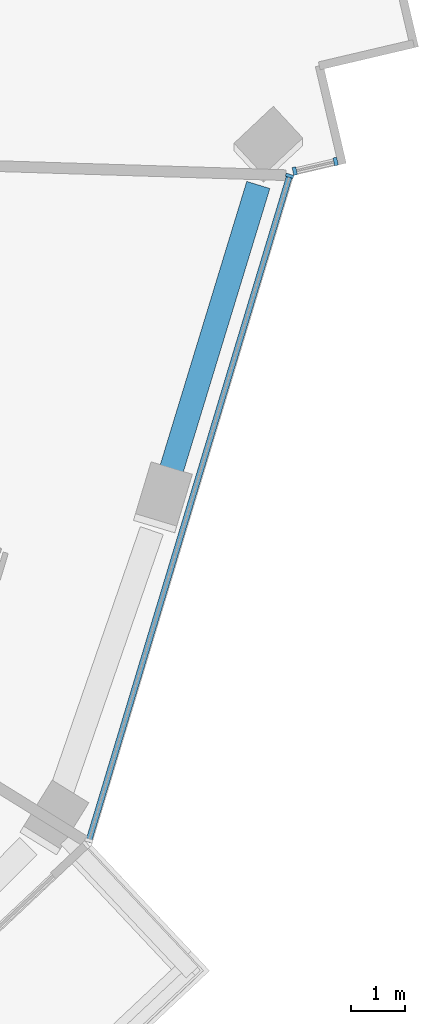
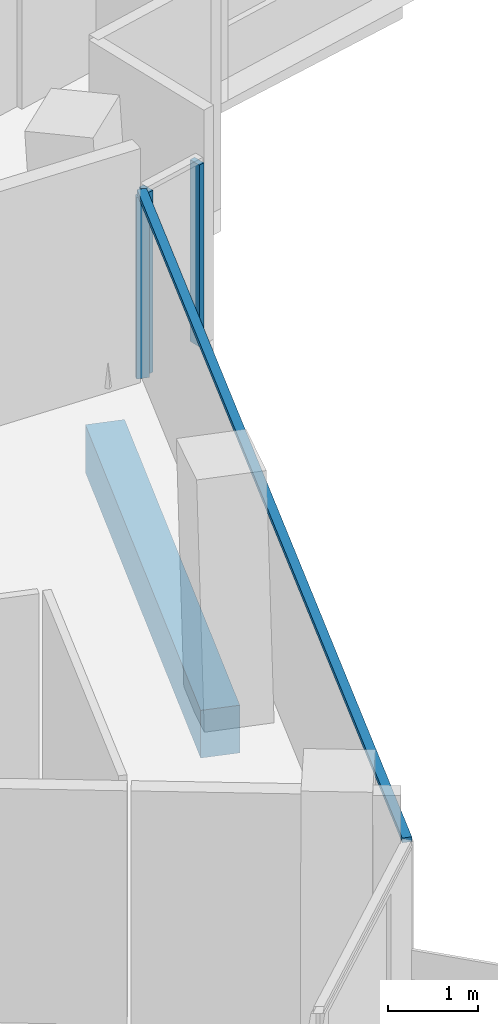
# One storey, part 6 of 24: 4 members, 1 beam, 2 elements without a shape of their own.
"""IFC4 building model written with IfcOpenShell, lengths in metres."""

from ifc_helpers import new_model, si_unit, direction, frame, origin, origin_2d, place, context, subcontext, project, spatial, rectangle, extrude, material, layer, layer_set, material_profile, profile_set, type_object, element, aggregate, save


model = new_model("IFC4")

# Units and contexts
model_context = context("Model", 3, precision=1e-05, world=origin(), true_north=direction((0.0, 1.0)))
body_context = subcontext(model_context, "Body", "Model", "MODEL_VIEW")
ifc_project = project(units=[si_unit("LENGTHUNIT", "METRE"), si_unit("AREAUNIT", "SQUARE_METRE"), si_unit("VOLUMEUNIT", "CUBIC_METRE"), si_unit("PLANEANGLEUNIT", "RADIAN"), si_unit("MASSUNIT", "GRAM", prefix="KILO")], contexts=[model_context])

# Site, building, storey
site_placement = place(None, origin())
site = spatial("IfcSite", under=ifc_project, at=site_placement, CompositionType="ELEMENT")
building_placement = place(site_placement, origin())
building = spatial("IfcBuilding", under=site, at=building_placement, Name="Verdalira Terraces Hotel", CompositionType="ELEMENT")
storey_placement = place(building_placement, frame((0.0, 0.0, 209.0)))
storey = spatial("IfcBuildingStorey", under=building, at=storey_placement, Name="L51", CompositionType="ELEMENT", Elevation=209.0)

# Curtain wall, members
ifc_material_1 = material(Name="Clear glass", Category="glass")
ifc_layer_1 = layer(ifc_material_1, 0.14990234375)
ifc_layer_set_1 = layer_set([ifc_layer_1], Name="CW1 curtain wall")
curtain_wall_type_1 = type_object("IfcCurtainWallType", Name="CW1 curtain wall", PredefinedType="NOTDEFINED", material=ifc_layer_set_1)
curtain_wall_1_placement = place(storey_placement, origin())
curtain_wall_1 = element("IfcCurtainWall", 1, at=curtain_wall_1_placement, inside=storey, type_object=curtain_wall_type_1, Name="CW1 curtain wall L51 edge 27", PredefinedType="NOTDEFINED")
ifc_material_2 = material(Name="Terracotta frame", Category="masonry")
ifc_material_profile_1 = material_profile(ifc_material_2, rectangle(XDim=0.060059, YDim=0.149902, at=origin_2d()), Name="MU 60x150")
ifc_profile_set_1 = profile_set([ifc_material_profile_1], Name="Terracotta frame")
member_type_1 = type_object("IfcMemberType", Name="CW1 mullion 60x150", PredefinedType="MULLION", material=ifc_profile_set_1)
member_1_placement = place(storey_placement, frame((25.02124, -0.795898, 0.0), z_axis=(0.0, 0.0, 1.0), x_axis=(0.289031797, 0.957319498, 0.0)))
member_1 = element("IfcMember", 2, at=member_1_placement, type_object=member_type_1, Name="CW1 mullion", PredefinedType="MULLION", context=body_context, shape_type="SweptSolid", body=[
    extrude(rectangle(XDim=0.060059, YDim=0.149902, at=origin_2d()), origin(), (0.0, 0.0, 1.0), 2.475098),
])
ifc_material_3 = material(Name="Terracotta frame", Category="masonry")
ifc_material_profile_2 = material_profile(ifc_material_3, rectangle(XDim=0.110107, YDim=0.064941, at=origin_2d()), Name="TR 65x110")
ifc_profile_set_2 = profile_set([ifc_material_profile_2], Name="Terracotta frame")
member_type_2 = type_object("IfcMemberType", Name="CW1 transom 65x110", PredefinedType="USERDEFINED", material=ifc_profile_set_2)
member_2_placement = place(storey_placement, frame((21.28418, -13.173828, 2.507568), z_axis=(0.28901697, 0.957323974, 0.0), x_axis=(-0.957323974, 0.28901697, 0.0)))
member_2 = element("IfcMember", 3, at=member_2_placement, type_object=member_type_2, Name="CW1 transom", ObjectType="TRANSOM", PredefinedType="USERDEFINED", context=body_context, shape_type="SweptSolid", body=[
    extrude(rectangle(XDim=0.110107, YDim=0.064941, at=origin_2d()), origin(), (0.0, 0.0, 1.0), 12.959717),
])
aggregate(curtain_wall_1, [member_1, member_2])

ifc_material_4 = material(Name="Clear glass", Category="glass")
ifc_layer_2 = layer(ifc_material_4, 0.14990234375)
ifc_layer_set_2 = layer_set([ifc_layer_2], Name="CW2 curtain wall")
curtain_wall_type_2 = type_object("IfcCurtainWallType", Name="CW2 curtain wall", PredefinedType="NOTDEFINED", material=ifc_layer_set_2)
curtain_wall_2_placement = place(storey_placement, origin())
curtain_wall_2 = element("IfcCurtainWall", 4, at=curtain_wall_2_placement, inside=storey, type_object=curtain_wall_type_2, Name="CW2 curtain wall L51 edge 28", PredefinedType="NOTDEFINED")
ifc_material_5 = material(Name="Terracotta frame", Category="masonry")
ifc_material_profile_3 = material_profile(ifc_material_5, rectangle(XDim=0.070068, YDim=0.149902, at=origin_2d()), Name="MU 70x150")
ifc_profile_set_3 = profile_set([ifc_material_profile_3], Name="Terracotta frame")
member_type_3 = type_object("IfcMemberType", Name="CW2 mullion 70x150", PredefinedType="MULLION", material=ifc_profile_set_3)
member_3_placement = place(storey_placement, frame((25.118652, -0.707764, 0.0), z_axis=(0.0, 0.0, 1.0), x_axis=(0.973578903, 0.22835087, 0.0)))
member_3 = element("IfcMember", 5, at=member_3_placement, type_object=member_type_3, Name="CW2 mullion", PredefinedType="MULLION", context=body_context, shape_type="SweptSolid", body=[
    extrude(rectangle(XDim=0.070068, YDim=0.149902, at=origin_2d()), origin(), (0.0, 0.0, 1.0), 2.475098),
])
member_4_placement = place(storey_placement, frame((25.87793, -0.529785, 0.0), z_axis=(0.0, 0.0, 1.0), x_axis=(0.973578903, 0.22835087, 0.0)))
member_4 = element("IfcMember", 6, at=member_4_placement, type_object=member_type_3, Name="CW2 mullion", PredefinedType="MULLION", context=body_context, shape_type="SweptSolid", body=[
    extrude(rectangle(XDim=0.070068, YDim=0.149902, at=origin_2d()), origin(), (0.0, 0.0, 1.0), 2.475098),
])
aggregate(curtain_wall_2, [member_3, member_4])

# Beam
ifc_material_6 = material(Name="Concrete C50", Category="concrete")
ifc_material_profile_4 = material_profile(ifc_material_6, rectangle(XDim=0.449951, YDim=0.649902, at=origin_2d()), Name="RC 450X650")
ifc_profile_set_4 = profile_set([ifc_material_profile_4], Name="Concrete C50")
beam_type = type_object("IfcBeamType", Name="Spandrel beam RC 450X650 C50", PredefinedType="SPANDREL", material=ifc_profile_set_4)
beam_placement = place(storey_placement, frame((22.774902, -6.42334, -0.63501), z_axis=(0.291944622, 0.956435224, 0.0), x_axis=(-0.956435224, 0.291944622, 0.0)))
element("IfcBeam", 7, at=beam_placement, inside=storey, type_object=beam_type, Name="Spandrel beam B16", PredefinedType="SPANDREL", context=body_context, shape_type="SweptSolid", body=[
    extrude(rectangle(XDim=0.449951, YDim=0.649902, at=origin_2d()), origin(), (0.0, 0.0, 1.0), 5.706543),
])

save(model, "model.ifc")
